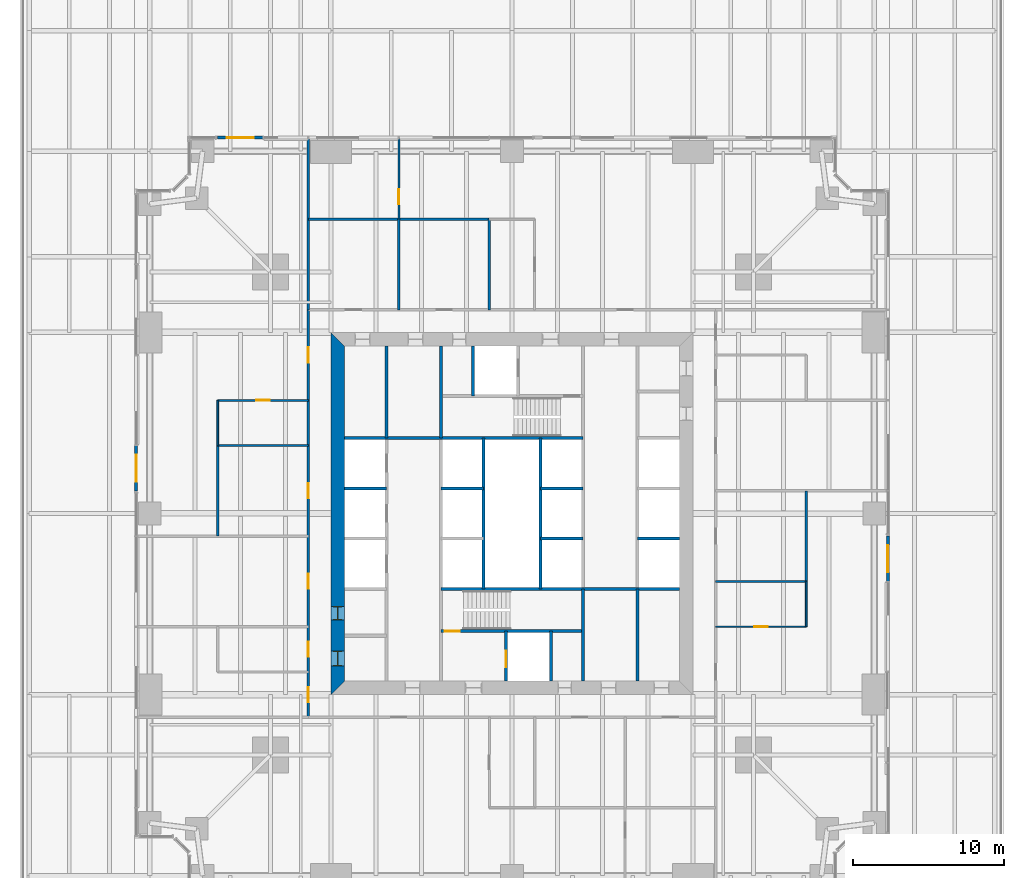
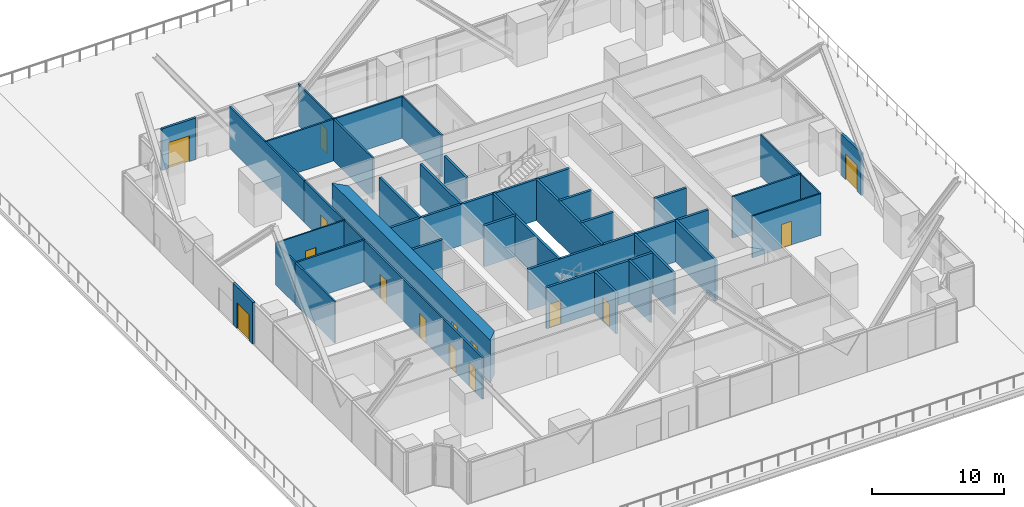
# One storey, part 16 of 21: 36 walls, 15 doors, 15 openings.
"""IFC4 building model written with IfcOpenShell, lengths in metres."""

from ifc_helpers import new_model, si_unit, direction, frame, frame_2d, origin, place, context, subcontext, project, spatial, polyline, rectangle, outline, extrude, material, layer, layer_set, type_object, element, fill, save


model = new_model("IFC4")

# Units and contexts
model_context = context("Model", 3, precision=1e-05, world=origin(), true_north=direction((0.0, 1.0)))
body_context = subcontext(model_context, "Body", "Model", "MODEL_VIEW")
ifc_project = project(units=[si_unit("LENGTHUNIT", "METRE"), si_unit("AREAUNIT", "SQUARE_METRE"), si_unit("VOLUMEUNIT", "CUBIC_METRE"), si_unit("PLANEANGLEUNIT", "RADIAN"), si_unit("MASSUNIT", "GRAM", prefix="KILO")], contexts=[model_context])

# Site, building, storey
site_placement = place(None, origin())
site = spatial("IfcSite", under=ifc_project, at=site_placement, CompositionType="ELEMENT")
building_placement = place(site_placement, origin())
building = spatial("IfcBuilding", under=site, at=building_placement, Name="Fenwick Lantern Interchange", CompositionType="ELEMENT")
storey_placement = place(building_placement, frame((0.0, 0.0, 31.0)))
storey = spatial("IfcBuildingStorey", under=building, at=storey_placement, Name="L06", CompositionType="ELEMENT", Elevation=31.0)

# Walls
ifc_material_1 = material(Name="Concrete masonry ASTM C90 Grade N", Category="masonry")
ifc_layer_1 = layer(ifc_material_1, 0.199951171875)
ifc_layer_set_1 = layer_set([ifc_layer_1], Name="Concrete masonry ASTM C90 Grade N")
wall_type_1 = type_object("IfcWallType", Name="CORE PARTITION 200", PredefinedType="PARTITIONING", material=ifc_layer_set_1)
for number, where, z_axis, x_axis, name in (
    (1, (13.89990234375, 26.666748046875, 0.0), (0.0, 0.0, 1.0), (1.0, 0.0, 0.0), "L06/W/CORES/d2"),
    (2, (20.300048828125, 26.666748046875, 0.0), (0.0, 0.0, 1.0), (1.0, 0.0, 0.0), "L06/W/CORES/e2"),
):
    element("IfcWall", number, at=place(storey_placement, frame(where, z_axis=z_axis, x_axis=x_axis)), inside=storey, type_object=wall_type_1, Name=name, PredefinedType="PARTITIONING", context=body_context, shape_type="SweptSolid", body=[
        extrude(rectangle(XDim=2.800048828125, YDim=0.199951171875, at=frame_2d((1.39990234375, 0.0))), origin(), (0.0, 0.0, 1.0), 3.800048828125),
    ])
wall_1_placement = place(storey_placement, frame((23.10009765625, 20.0, 0.0), z_axis=(0.0, 0.0, 1.0), x_axis=(0.0, 1.0, 0.0)))
element("IfcWall", 3, at=wall_1_placement, inside=storey, type_object=wall_type_1, Name="L06/W/CORES/e3", PredefinedType="PARTITIONING", context=body_context, shape_type="SweptSolid", body=[
    extrude(rectangle(XDim=10.0, YDim=0.199951171875, at=frame_2d((5.0, 0.0))), origin(), (0.0, 0.0, 1.0), 3.800048828125),
])

# Wall, opening, door
wall_2_placement = place(storey_placement, frame((24.60009765625, 13.89990234375, 0.0), z_axis=(0.0, 0.0, 1.0), x_axis=(0.0, 1.0, 0.0)))
wall_2 = element("IfcWall", 4, at=wall_2_placement, inside=storey, type_object=wall_type_1, Name="L06/W/CORES/h1", PredefinedType="PARTITIONING", context=body_context, shape_type="SweptSolid", body=[
    extrude(rectangle(XDim=3.300048828125, YDim=0.199951171875, at=frame_2d((1.64990234375, 0.0))), origin(), (0.0, 0.0, 1.0), 3.800048828125),
])
opening_1_placement = place(wall_2_placement, frame((0.89990234375, 0.0, 0.0)))
opening_1 = element("IfcOpeningElement", 5, at=opening_1_placement, cuts=wall_2, Name="Opening LD-FL1", PredefinedType="OPENING", context=body_context, shape_type="SweptSolid", body=[
    extrude(rectangle(XDim=1.10009765625, YDim=2.199951171875, at=frame_2d((0.550048828125, 1.10009765625))), frame((0.0, 0.10986328125, 0.0), z_axis=(0.0, -1.0, 0.0), x_axis=(1.0, 0.0, 0.0)), (0.0, 0.0, 1.0), 0.219970703125),
])
ifc_material_2 = material(Name="Steel door and frame", Category="steel")
door_type_1 = type_object("IfcDoorType", Name="LIFT LANDING DOOR 1100 X 2200", OperationType="DOUBLE_DOOR_SLIDING", PredefinedType="DOOR", material=ifc_material_2)
door_1_placement = place(opening_1_placement, origin())
door_1 = element("IfcDoor", 6, at=door_1_placement, inside=storey, type_object=door_type_1, Name="Lift landing door FL1", OperationType="DOUBLE_DOOR_SLIDING", OverallHeight=2.199951171875, OverallWidth=1.10009765625, PredefinedType="DOOR", context=body_context, shape_type="SweptSolid", body=[
    extrude(rectangle(XDim=1.10009765625, YDim=2.199951171875, at=frame_2d((0.550048828125, 1.10009765625))), frame((0.0, 0.02490234375, 0.0), z_axis=(0.0, -1.0, 0.0), x_axis=(1.0, 0.0, 0.0)), (0.0, 0.0, 1.0), 0.050048828125),
])
fill(opening_1, door_1)

# Walls
wall_3_placement = place(storey_placement, frame((27.60009765625, 13.89990234375, 0.0), z_axis=(0.0, 0.0, 1.0), x_axis=(0.0, 1.0, 0.0)))
element("IfcWall", 7, at=wall_3_placement, inside=storey, type_object=wall_type_1, Name="L06/W/CORES/h2", PredefinedType="PARTITIONING", context=body_context, shape_type="SweptSolid", body=[
    extrude(rectangle(XDim=3.300048828125, YDim=0.199951171875, at=frame_2d((1.64990234375, 0.0))), origin(), (0.0, 0.0, 1.0), 3.800048828125),
])
wall_4_placement = place(storey_placement, frame((33.300048828125, 13.89990234375, 0.0), z_axis=(0.0, 0.0, 1.0), x_axis=(0.0, 1.0, 0.0)))
element("IfcWall", 8, at=wall_4_placement, inside=storey, type_object=wall_type_1, Name="L06/W/CORES/i2", PredefinedType="PARTITIONING", context=body_context, shape_type="SweptSolid", body=[
    extrude(rectangle(XDim=6.10009765625, YDim=0.199951171875, at=frame_2d((3.050048828125, 0.0))), origin(), (0.0, 0.0, 1.0), 3.800048828125),
])
for number, where, z_axis, x_axis, name in (
    (9, (36.10009765625, 23.333251953125, 0.0), (0.0, 0.0, 1.0), (-1.0, 0.0, 0.0), "L06/W/COREN/d2"),
    (10, (29.699951171875, 26.666748046875, 0.0), (0.0, 0.0, 1.0), (-1.0, 0.0, 0.0), "L06/W/COREN/e1"),
    (11, (29.699951171875, 23.333251953125, 0.0), (0.0, 0.0, 1.0), (-1.0, 0.0, 0.0), "L06/W/COREN/e2"),
):
    element("IfcWall", number, at=place(storey_placement, frame(where, z_axis=z_axis, x_axis=x_axis)), inside=storey, type_object=wall_type_1, Name=name, PredefinedType="PARTITIONING", context=body_context, shape_type="SweptSolid", body=[
        extrude(rectangle(XDim=2.800048828125, YDim=0.199951171875, at=frame_2d((1.39990234375, 0.0))), origin(), (0.0, 0.0, 1.0), 3.800048828125),
    ])
wall_5_placement = place(storey_placement, frame((26.89990234375, 30.0, 0.0), z_axis=(0.0, 0.0, 1.0), x_axis=(0.0, -1.0, 0.0)))
element("IfcWall", 12, at=wall_5_placement, inside=storey, type_object=wall_type_1, Name="L06/W/COREN/e3", PredefinedType="PARTITIONING", context=body_context, shape_type="SweptSolid", body=[
    extrude(rectangle(XDim=10.0, YDim=0.199951171875, at=frame_2d((5.0, 0.0))), origin(), (0.0, 0.0, 1.0), 3.800048828125),
])
wall_6_placement = place(storey_placement, frame((22.39990234375, 36.10009765625, 0.0), z_axis=(0.0, 0.0, 1.0), x_axis=(0.0, -1.0, 0.0)))
element("IfcWall", 13, at=wall_6_placement, inside=storey, type_object=wall_type_1, Name="L06/W/COREN/h2", PredefinedType="PARTITIONING", context=body_context, shape_type="SweptSolid", body=[
    extrude(rectangle(XDim=3.300048828125, YDim=0.199951171875, at=frame_2d((1.64990234375, 0.0))), origin(), (0.0, 0.0, 1.0), 3.800048828125),
])
wall_7_placement = place(storey_placement, frame((16.699951171875, 36.10009765625, 0.0), z_axis=(0.0, 0.0, 1.0), x_axis=(0.0, -1.0, 0.0)))
element("IfcWall", 14, at=wall_7_placement, inside=storey, type_object=wall_type_1, Name="L06/W/COREN/i2", PredefinedType="PARTITIONING", context=body_context, shape_type="SweptSolid", body=[
    extrude(rectangle(XDim=6.10009765625, YDim=0.199951171875, at=frame_2d((3.050048828125, 0.0))), origin(), (0.0, 0.0, 1.0), 3.800048828125),
])

# Wall, openings, doors
ifc_material_3 = material(Name="Concrete f'c 70 MPa", Category="concrete")
ifc_layer_2 = layer(ifc_material_3, 0.89990234375)
ifc_layer_set_2 = layer_set([ifc_layer_2], Name="CORE WALL 900")
wall_type_2 = type_object("IfcWallType", Name="CORE WALL 900", PredefinedType="SHEAR", material=ifc_layer_set_2)
wall_8_placement = place(storey_placement, frame((13.449951171875, 36.10009765625, 0.0), z_axis=(0.0, 0.0, 1.0), x_axis=(0.0, -1.0, 0.0)))
wall_8 = element("IfcWall", 15, at=wall_8_placement, inside=storey, type_object=wall_type_2, Name="L06/CORE/W", PredefinedType="SHEAR", context=body_context, shape_type="SweptSolid", body=[
    extrude(outline(polyline([(-0.89990234375, -0.449951171875), (23.10009765625, -0.449951171875), (22.199951171875, 0.449951171875), (0.0, 0.449951171875), (-0.89990234375, -0.449951171875)])), origin(), (0.0, 0.0, 1.0), 4.0),
])
opening_2_placement = place(wall_8_placement, frame((20.199951171875, 0.0, 0.0)))
opening_2 = element("IfcOpeningElement", 16, at=opening_2_placement, cuts=wall_8, Name="Opening L06-D007", PredefinedType="OPENING", context=body_context, shape_type="SweptSolid", body=[
    extrude(rectangle(XDim=1.0, YDim=2.199951171875, at=frame_2d((0.5, 1.10009765625))), frame((0.0, 0.4599609375, 0.0), z_axis=(0.0, -1.0, 0.0), x_axis=(1.0, 0.0, 0.0)), (0.0, 0.0, 1.0), 0.919921875),
])
opening_3_placement = place(wall_8_placement, frame((17.25, 0.0, 0.0)))
opening_3 = element("IfcOpeningElement", 17, at=opening_3_placement, cuts=wall_8, Name="Opening L06-D008", PredefinedType="OPENING", context=body_context, shape_type="SweptSolid", body=[
    extrude(rectangle(XDim=0.89990234375, YDim=2.199951171875, at=frame_2d((0.449951171875, 1.10009765625))), frame((0.0, 0.4599609375, 0.0), z_axis=(0.0, -1.0, 0.0), x_axis=(1.0, 0.0, 0.0)), (0.0, 0.0, 1.0), 0.919921875),
])
door_type_2 = type_object("IfcDoorType", Name="SERVICE DOOR 900 X 2200", OperationType="SINGLE_SWING_LEFT", PredefinedType="DOOR", material=ifc_material_2)
door_2_placement = place(opening_3_placement, origin())
door_2 = element("IfcDoor", 18, at=door_2_placement, inside=storey, type_object=door_type_2, Name="Service door", OperationType="SINGLE_SWING_RIGHT", OverallHeight=2.199951171875, OverallWidth=0.89990234375, PredefinedType="DOOR", context=body_context, shape_type="SweptSolid", body=[
    extrude(rectangle(XDim=0.89990234375, YDim=2.199951171875, at=frame_2d((0.449951171875, 1.10009765625))), frame((0.0, 0.02490234375, 0.0), z_axis=(0.0, -1.0, 0.0), x_axis=(1.0, 0.0, 0.0)), (0.0, 0.0, 1.0), 0.050048828125),
    extrude(outline(polyline([(0.0, 0.0), (0.0400390625, 0.0), (0.0400390625, 2.159912109375), (0.85986328125, 2.159912109375), (0.85986328125, 0.0), (0.89990234375, 0.0), (0.89990234375, 2.199951171875), (0.0, 2.199951171875), (0.0, 0.0)])), frame((0.0, 0.300048828125, 0.0), z_axis=(0.0, -1.0, 0.0), x_axis=(1.0, 0.0, 0.0)), (0.0, 0.0, 1.0), 0.60009765625),
])
fill(opening_3, door_2)
ifc_material_4 = material(Name="Hardwood door and steel frame", Category="steel")
door_type_3 = type_object("IfcDoorType", Name="WC DOOR 1000 X 2200", OperationType="SINGLE_SWING_LEFT", PredefinedType="DOOR", material=ifc_material_4)
door_3_placement = place(opening_2_placement, origin())
door_3 = element("IfcDoor", 19, at=door_3_placement, inside=storey, type_object=door_type_3, Name="Wc door", OperationType="SINGLE_SWING_LEFT", OverallHeight=2.199951171875, OverallWidth=1.0, PredefinedType="DOOR", context=body_context, shape_type="SweptSolid", body=[
    extrude(rectangle(XDim=1.0, YDim=2.199951171875, at=frame_2d((0.5, 1.10009765625))), frame((0.0, 0.02490234375, 0.0), z_axis=(0.0, -1.0, 0.0), x_axis=(1.0, 0.0, 0.0)), (0.0, 0.0, 1.0), 0.050048828125),
    extrude(outline(polyline([(0.0, 0.0), (0.0400390625, 0.0), (0.0400390625, 2.159912109375), (0.9599609375, 2.159912109375), (0.9599609375, 0.0), (1.0, 0.0), (1.0, 2.199951171875), (0.0, 2.199951171875), (0.0, 0.0)])), frame((0.0, 0.300048828125, 0.0), z_axis=(0.0, -1.0, 0.0), x_axis=(1.0, 0.0, 0.0)), (0.0, 0.0, 1.0), 0.60009765625),
])
fill(opening_2, door_3)

ifc_material_5 = material(Name="Gypsum board on steel studs, 1 hour", Category="steel")
ifc_layer_3 = layer(ifc_material_5, 0.14990234375)
ifc_layer_set_3 = layer_set([ifc_layer_3], Name="CORRIDOR WALL 150")
wall_type_3 = type_object("IfcWallType", Name="CORRIDOR WALL 150", PredefinedType="PARTITIONING", material=ifc_layer_set_3)
wall_9_placement = place(storey_placement, frame((11.5, 38.5, 0.0), z_axis=(0.0, 0.0, 1.0), x_axis=(0.0, -1.0, 0.0)))
wall_9 = element("IfcWall", 20, at=wall_9_placement, inside=storey, type_object=wall_type_3, Name="L06/W/OFF/W/CW", PredefinedType="PARTITIONING", context=body_context, shape_type="SweptSolid", body=[
    extrude(rectangle(XDim=27.0, YDim=0.14990234375, at=frame_2d((13.5, 0.0))), origin(), (0.0, 0.0, 1.0), 3.85009765625),
])
opening_4_placement = place(wall_9_placement, frame((2.5, 0.0, 0.0)))
opening_4 = element("IfcOpeningElement", 21, at=opening_4_placement, cuts=wall_9, Name="Opening L06-D038", PredefinedType="OPENING", context=body_context, shape_type="SweptSolid", body=[
    extrude(rectangle(XDim=1.0, YDim=2.199951171875, at=frame_2d((0.5, 1.10009765625))), frame((0.0, 0.0849609375, 0.0), z_axis=(0.0, -1.0, 0.0), x_axis=(1.0, 0.0, 0.0)), (0.0, 0.0, 1.0), 0.169921875),
])
opening_5_placement = place(wall_9_placement, frame((11.5, 0.0, 0.0)))
opening_5 = element("IfcOpeningElement", 22, at=opening_5_placement, cuts=wall_9, Name="Opening L06-D040", PredefinedType="OPENING", context=body_context, shape_type="SweptSolid", body=[
    extrude(rectangle(XDim=1.0, YDim=2.199951171875, at=frame_2d((0.5, 1.10009765625))), frame((0.0, 0.0849609375, 0.0), z_axis=(0.0, -1.0, 0.0), x_axis=(1.0, 0.0, 0.0)), (0.0, 0.0, 1.0), 0.169921875),
])
opening_6_placement = place(wall_9_placement, frame((17.5, 0.0, 0.0)))
opening_6 = element("IfcOpeningElement", 23, at=opening_6_placement, cuts=wall_9, Name="Opening L06-D041", PredefinedType="OPENING", context=body_context, shape_type="SweptSolid", body=[
    extrude(rectangle(XDim=1.0, YDim=2.199951171875, at=frame_2d((0.5, 1.10009765625))), frame((0.0, 0.0849609375, 0.0), z_axis=(0.0, -1.0, 0.0), x_axis=(1.0, 0.0, 0.0)), (0.0, 0.0, 1.0), 0.169921875),
])
opening_7_placement = place(wall_9_placement, frame((22.0, 0.0, 0.0)))
opening_7 = element("IfcOpeningElement", 24, at=opening_7_placement, cuts=wall_9, Name="Opening L06-D042", PredefinedType="OPENING", context=body_context, shape_type="SweptSolid", body=[
    extrude(rectangle(XDim=1.0, YDim=2.199951171875, at=frame_2d((0.5, 1.10009765625))), frame((0.0, 0.0849609375, 0.0), z_axis=(0.0, -1.0, 0.0), x_axis=(1.0, 0.0, 0.0)), (0.0, 0.0, 1.0), 0.169921875),
])
opening_8_placement = place(wall_9_placement, frame((25.0, 0.0, 0.0)))
opening_8 = element("IfcOpeningElement", 25, at=opening_8_placement, cuts=wall_9, Name="Opening L06-D043", PredefinedType="OPENING", context=body_context, shape_type="SweptSolid", body=[
    extrude(rectangle(XDim=1.0, YDim=2.199951171875, at=frame_2d((0.5, 1.10009765625))), frame((0.0, 0.0849609375, 0.0), z_axis=(0.0, -1.0, 0.0), x_axis=(1.0, 0.0, 0.0)), (0.0, 0.0, 1.0), 0.169921875),
])
door_type_4 = type_object("IfcDoorType", Name="SUITE ENTRANCE DOOR 1000 X 2200", OperationType="SINGLE_SWING_LEFT", PredefinedType="DOOR", material=ifc_material_2)
door_4_placement = place(opening_4_placement, frame((1.0, 0.0, 0.0), z_axis=(0.0, 0.0, 1.0), x_axis=(-1.0, 0.0, 0.0)))
door_4 = element("IfcDoor", 26, at=door_4_placement, inside=storey, type_object=door_type_4, Name="Suite entrance door", OperationType="SINGLE_SWING_LEFT", OverallHeight=2.199951171875, OverallWidth=1.0, PredefinedType="DOOR", context=body_context, shape_type="SweptSolid", body=[
    extrude(rectangle(XDim=1.0, YDim=2.199951171875, at=frame_2d((0.5, 1.10009765625))), frame((0.0, 0.02490234375, 0.0), z_axis=(0.0, -1.0, 0.0), x_axis=(1.0, 0.0, 0.0)), (0.0, 0.0, 1.0), 0.050048828125),
])
fill(opening_4, door_4)
door_5_placement = place(opening_5_placement, frame((1.0, 0.0, 0.0), z_axis=(0.0, 0.0, 1.0), x_axis=(-1.0, 0.0, 0.0)))
door_5 = element("IfcDoor", 27, at=door_5_placement, inside=storey, type_object=door_type_4, Name="Suite entrance door", OperationType="SINGLE_SWING_RIGHT", OverallHeight=2.199951171875, OverallWidth=1.0, PredefinedType="DOOR", context=body_context, shape_type="SweptSolid", body=[
    extrude(rectangle(XDim=1.0, YDim=2.199951171875, at=frame_2d((0.5, 1.10009765625))), frame((0.0, 0.02490234375, 0.0), z_axis=(0.0, -1.0, 0.0), x_axis=(1.0, 0.0, 0.0)), (0.0, 0.0, 1.0), 0.050048828125),
])
fill(opening_5, door_5)
door_6_placement = place(opening_6_placement, frame((1.0, 0.0, 0.0), z_axis=(0.0, 0.0, 1.0), x_axis=(-1.0, 0.0, 0.0)))
door_6 = element("IfcDoor", 28, at=door_6_placement, inside=storey, type_object=door_type_4, Name="Suite entrance door", OperationType="SINGLE_SWING_RIGHT", OverallHeight=2.199951171875, OverallWidth=1.0, PredefinedType="DOOR", context=body_context, shape_type="SweptSolid", body=[
    extrude(rectangle(XDim=1.0, YDim=2.199951171875, at=frame_2d((0.5, 1.10009765625))), frame((0.0, 0.02490234375, 0.0), z_axis=(0.0, -1.0, 0.0), x_axis=(1.0, 0.0, 0.0)), (0.0, 0.0, 1.0), 0.050048828125),
])
fill(opening_6, door_6)
door_7_placement = place(opening_7_placement, frame((1.0, 0.0, 0.0), z_axis=(0.0, 0.0, 1.0), x_axis=(-1.0, 0.0, 0.0)))
door_7 = element("IfcDoor", 29, at=door_7_placement, inside=storey, type_object=door_type_4, Name="Suite entrance door", OperationType="SINGLE_SWING_RIGHT", OverallHeight=2.199951171875, OverallWidth=1.0, PredefinedType="DOOR", context=body_context, shape_type="SweptSolid", body=[
    extrude(rectangle(XDim=1.0, YDim=2.199951171875, at=frame_2d((0.5, 1.10009765625))), frame((0.0, 0.02490234375, 0.0), z_axis=(0.0, -1.0, 0.0), x_axis=(1.0, 0.0, 0.0)), (0.0, 0.0, 1.0), 0.050048828125),
])
fill(opening_7, door_7)
door_8_placement = place(opening_8_placement, frame((1.0, 0.0, 0.0), z_axis=(0.0, 0.0, 1.0), x_axis=(-1.0, 0.0, 0.0)))
door_8 = element("IfcDoor", 30, at=door_8_placement, inside=storey, type_object=door_type_4, Name="Suite entrance door", OperationType="SINGLE_SWING_RIGHT", OverallHeight=2.199951171875, OverallWidth=1.0, PredefinedType="DOOR", context=body_context, shape_type="SweptSolid", body=[
    extrude(rectangle(XDim=1.0, YDim=2.199951171875, at=frame_2d((0.5, 1.10009765625))), frame((0.0, 0.02490234375, 0.0), z_axis=(0.0, -1.0, 0.0), x_axis=(1.0, 0.0, 0.0)), (0.0, 0.0, 1.0), 0.050048828125),
])
fill(opening_8, door_8)

# Wall, opening, door
ifc_material_6 = material(Name="Gypsum board on steel studs, acoustic", Category="steel")
ifc_layer_4 = layer(ifc_material_6, 0.125)
ifc_layer_set_4 = layer_set([ifc_layer_4], Name="OFFICE PARTITION 125")
wall_type_4 = type_object("IfcWallType", Name="OFFICE PARTITION 125", PredefinedType="PARTITIONING", material=ifc_layer_set_4)
wall_10_placement = place(storey_placement, frame((44.5, 17.5, 0.0), z_axis=(0.0, 0.0, 1.0), x_axis=(-1.0, 0.0, 0.0)))
wall_10 = element("IfcWall", 31, at=wall_10_placement, inside=storey, type_object=wall_type_4, Name="L06/W/OFF/E/X175-1", PredefinedType="PARTITIONING", context=body_context, shape_type="SweptSolid", body=[
    extrude(rectangle(XDim=6.0, YDim=0.125, at=frame_2d((3.0, 0.0))), origin(), (0.0, 0.0, 1.0), 3.85009765625),
])
opening_9_placement = place(wall_10_placement, frame((2.550048828125, 0.0, 0.0)))
opening_9 = element("IfcOpeningElement", 32, at=opening_9_placement, cuts=wall_10, Name="Opening L06-D028", PredefinedType="OPENING", context=body_context, shape_type="SweptSolid", body=[
    extrude(rectangle(XDim=0.89990234375, YDim=2.199951171875, at=frame_2d((0.449951171875, 1.10009765625))), frame((0.0, 0.072509765625, 0.0), z_axis=(0.0, -1.0, 0.0), x_axis=(1.0, 0.0, 0.0)), (0.0, 0.0, 1.0), 0.14501953125),
])
door_type_5 = type_object("IfcDoorType", Name="OFFICE DOOR 900 X 2200", OperationType="SINGLE_SWING_LEFT", PredefinedType="DOOR", material=ifc_material_4)
door_9_placement = place(opening_9_placement, frame((0.89990234375, 0.0, 0.0), z_axis=(0.0, 0.0, 1.0), x_axis=(-1.0, 0.0, 0.0)))
door_9 = element("IfcDoor", 33, at=door_9_placement, inside=storey, type_object=door_type_5, Name="Office door", OperationType="SINGLE_SWING_RIGHT", OverallHeight=2.199951171875, OverallWidth=0.89990234375, PredefinedType="DOOR", context=body_context, shape_type="SweptSolid", body=[
    extrude(rectangle(XDim=0.89990234375, YDim=2.199951171875, at=frame_2d((0.449951171875, 1.10009765625))), frame((0.0, 0.02490234375, 0.0), z_axis=(0.0, -1.0, 0.0), x_axis=(1.0, 0.0, 0.0)), (0.0, 0.0, 1.0), 0.050048828125),
])
fill(opening_9, door_9)

# Wall
wall_11_placement = place(storey_placement, frame((44.5, 17.5, 0.0), z_axis=(0.0, 0.0, 1.0), x_axis=(0.0, 1.0, 0.0)))
element("IfcWall", 34, at=wall_11_placement, inside=storey, type_object=wall_type_4, Name="L06/W/OFF/E/Y55-1", PredefinedType="PARTITIONING", context=body_context, shape_type="SweptSolid", body=[
    extrude(rectangle(XDim=3.0, YDim=0.125, at=frame_2d((1.5, 0.0))), origin(), (0.0, 0.0, 1.0), 3.85009765625),
])

# Wall, opening, door
wall_12_placement = place(storey_placement, frame((17.5, 49.85009765625, 0.0), z_axis=(0.0, 0.0, 1.0), x_axis=(0.0, -1.0, 0.0)))
wall_12 = element("IfcWall", 35, at=wall_12_placement, inside=storey, type_object=wall_type_4, Name="L06/W/OFF/N/X325-1", PredefinedType="PARTITIONING", context=body_context, shape_type="SweptSolid", body=[
    extrude(rectangle(XDim=5.35009765625, YDim=0.125, at=frame_2d((2.675048828125, 0.0))), origin(), (0.0, 0.0, 1.0), 3.85009765625),
])
opening_10_placement = place(wall_12_placement, frame((3.35009765625, 0.0, 0.0)))
opening_10 = element("IfcOpeningElement", 36, at=opening_10_placement, cuts=wall_12, Name="Opening L06-D035", PredefinedType="OPENING", context=body_context, shape_type="SweptSolid", body=[
    extrude(rectangle(XDim=1.0, YDim=2.199951171875, at=frame_2d((0.5, 1.10009765625))), frame((0.0, 0.072509765625, 0.0), z_axis=(0.0, -1.0, 0.0), x_axis=(1.0, 0.0, 0.0)), (0.0, 0.0, 1.0), 0.14501953125),
])
door_type_6 = type_object("IfcDoorType", Name="MEETING ROOM DOOR 1000 X 2200", OperationType="SINGLE_SWING_LEFT", PredefinedType="DOOR", material=ifc_material_4)
door_10_placement = place(opening_10_placement, frame((1.0, 0.0, 0.0), z_axis=(0.0, 0.0, 1.0), x_axis=(-1.0, 0.0, 0.0)))
door_10 = element("IfcDoor", 37, at=door_10_placement, inside=storey, type_object=door_type_6, Name="Meeting room door", OperationType="SINGLE_SWING_LEFT", OverallHeight=2.199951171875, OverallWidth=1.0, PredefinedType="DOOR", context=body_context, shape_type="SweptSolid", body=[
    extrude(rectangle(XDim=1.0, YDim=2.199951171875, at=frame_2d((0.5, 1.10009765625))), frame((0.0, 0.02490234375, 0.0), z_axis=(0.0, -1.0, 0.0), x_axis=(1.0, 0.0, 0.0)), (0.0, 0.0, 1.0), 0.050048828125),
])
fill(opening_10, door_10)

wall_13_placement = place(storey_placement, frame((5.5, 32.5, 0.0), z_axis=(0.0, 0.0, 1.0), x_axis=(1.0, 0.0, 0.0)))
wall_13 = element("IfcWall", 38, at=wall_13_placement, inside=storey, type_object=wall_type_4, Name="L06/W/OFF/W/X175-1", PredefinedType="PARTITIONING", context=body_context, shape_type="SweptSolid", body=[
    extrude(rectangle(XDim=6.0, YDim=0.125, at=frame_2d((3.0, 0.0))), origin(), (0.0, 0.0, 1.0), 3.85009765625),
])
opening_11_placement = place(wall_13_placement, frame((2.550048828125, 0.0, 0.0)))
opening_11 = element("IfcOpeningElement", 39, at=opening_11_placement, cuts=wall_13, Name="Opening L06-D039", PredefinedType="OPENING", context=body_context, shape_type="SweptSolid", body=[
    extrude(rectangle(XDim=0.89990234375, YDim=2.199951171875, at=frame_2d((0.449951171875, 1.10009765625))), frame((0.0, 0.072509765625, 0.0), z_axis=(0.0, -1.0, 0.0), x_axis=(1.0, 0.0, 0.0)), (0.0, 0.0, 1.0), 0.14501953125),
])
door_11_placement = place(opening_11_placement, frame((0.89990234375, 0.0, 0.0), z_axis=(0.0, 0.0, 1.0), x_axis=(-1.0, 0.0, 0.0)))
door_11 = element("IfcDoor", 40, at=door_11_placement, inside=storey, type_object=door_type_5, Name="Office door", OperationType="SINGLE_SWING_RIGHT", OverallHeight=2.199951171875, OverallWidth=0.89990234375, PredefinedType="DOOR", context=body_context, shape_type="SweptSolid", body=[
    extrude(rectangle(XDim=0.89990234375, YDim=2.199951171875, at=frame_2d((0.449951171875, 1.10009765625))), frame((0.0, 0.02490234375, 0.0), z_axis=(0.0, -1.0, 0.0), x_axis=(1.0, 0.0, 0.0)), (0.0, 0.0, 1.0), 0.050048828125),
])
fill(opening_11, door_11)

# Wall
wall_14_placement = place(storey_placement, frame((5.5, 32.5, 0.0), z_axis=(0.0, 0.0, 1.0), x_axis=(0.0, -1.0, 0.0)))
element("IfcWall", 41, at=wall_14_placement, inside=storey, type_object=wall_type_4, Name="L06/W/OFF/W/Y55-1", PredefinedType="PARTITIONING", context=body_context, shape_type="SweptSolid", body=[
    extrude(rectangle(XDim=3.0, YDim=0.125, at=frame_2d((1.5, 0.0))), origin(), (0.0, 0.0, 1.0), 3.85009765625),
])

# Wall, opening, door
ifc_material_7 = material(Name="Concrete f'c 45 MPa", Category="concrete")
ifc_layer_5 = layer(ifc_material_7, 0.199951171875)
ifc_layer_set_5 = layer_set([ifc_layer_5], Name="STAIR CORE WALL 200")
wall_type_5 = type_object("IfcWallType", Name="STAIR CORE WALL 200", PredefinedType="SOLIDWALL", material=ifc_layer_set_5)
wall_15_placement = place(storey_placement, frame((20.300048828125, 17.199951171875, 0.0), z_axis=(0.0, 0.0, 1.0), x_axis=(1.0, 0.0, 0.0)))
wall_15 = element("IfcWall", 42, at=wall_15_placement, inside=storey, type_object=wall_type_5, Name="L06/W/CORES/g1", PredefinedType="SOLIDWALL", context=body_context, shape_type="SweptSolid", body=[
    extrude(rectangle(XDim=9.39990234375, YDim=0.199951171875, at=frame_2d((4.699951171875, 0.0))), origin(), (0.0, 0.0, 1.0), 3.800048828125),
])
opening_12_placement = place(wall_15_placement, frame((0.25, 0.0, 0.0)))
opening_12 = element("IfcOpeningElement", 43, at=opening_12_placement, cuts=wall_15, Name="Opening L06-D010", PredefinedType="OPENING", context=body_context, shape_type="SweptSolid", body=[
    extrude(rectangle(XDim=1.0, YDim=2.199951171875, at=frame_2d((0.5, 1.10009765625))), frame((0.0, 0.10986328125, 0.0), z_axis=(0.0, -1.0, 0.0), x_axis=(1.0, 0.0, 0.0)), (0.0, 0.0, 1.0), 0.219970703125),
])
door_type_7 = type_object("IfcDoorType", Name="STAIR DOOR 1000 X 2200", OperationType="SINGLE_SWING_LEFT", PredefinedType="DOOR", material=ifc_material_2)
door_12_placement = place(opening_12_placement, origin())
door_12 = element("IfcDoor", 44, at=door_12_placement, inside=storey, type_object=door_type_7, Name="Stair door", OperationType="SINGLE_SWING_LEFT", OverallHeight=2.199951171875, OverallWidth=1.0, PredefinedType="DOOR", context=body_context, shape_type="SweptSolid", body=[
    extrude(rectangle(XDim=1.0, YDim=2.199951171875, at=frame_2d((0.5, 1.10009765625))), frame((0.0, 0.02490234375, 0.0), z_axis=(0.0, -1.0, 0.0), x_axis=(1.0, 0.0, 0.0)), (0.0, 0.0, 1.0), 0.050048828125),
])
fill(opening_12, door_12)

# Walls
wall_16_placement = place(storey_placement, frame((20.300048828125, 20.0, 0.0), z_axis=(0.0, 0.0, 1.0), x_axis=(1.0, 0.0, 0.0)))
element("IfcWall", 45, at=wall_16_placement, inside=storey, type_object=wall_type_5, Name="L06/W/CORES/g2", PredefinedType="SOLIDWALL", context=body_context, shape_type="SweptSolid", body=[
    extrude(rectangle(XDim=15.800048828125, YDim=0.199951171875, at=frame_2d((7.89990234375, 0.0))), origin(), (0.0, 0.0, 1.0), 3.800048828125),
])
wall_17_placement = place(storey_placement, frame((29.699951171875, 13.89990234375, 0.0), z_axis=(0.0, 0.0, 1.0), x_axis=(0.0, 1.0, 0.0)))
element("IfcWall", 46, at=wall_17_placement, inside=storey, type_object=wall_type_5, Name="L06/W/CORES/i1", PredefinedType="SOLIDWALL", context=body_context, shape_type="SweptSolid", body=[
    extrude(rectangle(XDim=6.10009765625, YDim=0.199951171875, at=frame_2d((3.050048828125, 0.0))), origin(), (0.0, 0.0, 1.0), 3.800048828125),
])
wall_18_placement = place(storey_placement, frame((29.699951171875, 30.0, 0.0), z_axis=(0.0, 0.0, 1.0), x_axis=(-1.0, 0.0, 0.0)))
element("IfcWall", 47, at=wall_18_placement, inside=storey, type_object=wall_type_5, Name="L06/W/COREN/g2", PredefinedType="SOLIDWALL", context=body_context, shape_type="SweptSolid", body=[
    extrude(rectangle(XDim=15.800048828125, YDim=0.199951171875, at=frame_2d((7.89990234375, 0.0))), origin(), (0.0, 0.0, 1.0), 3.800048828125),
])
wall_19_placement = place(storey_placement, frame((20.300048828125, 36.10009765625, 0.0), z_axis=(0.0, 0.0, 1.0), x_axis=(0.0, -1.0, 0.0)))
element("IfcWall", 48, at=wall_19_placement, inside=storey, type_object=wall_type_5, Name="L06/W/COREN/i1", PredefinedType="SOLIDWALL", context=body_context, shape_type="SweptSolid", body=[
    extrude(rectangle(XDim=6.10009765625, YDim=0.199951171875, at=frame_2d((3.050048828125, 0.0))), origin(), (0.0, 0.0, 1.0), 3.800048828125),
])
ifc_material_8 = material(Name="Gypsum board on steel studs, 1 hour acoustic", Category="steel")
ifc_layer_6 = layer(ifc_material_8, 0.14990234375)
ifc_layer_set_6 = layer_set([ifc_layer_6], Name="TENANT WALL 150")
wall_type_6 = type_object("IfcWallType", Name="TENANT WALL 150", PredefinedType="PARTITIONING", material=ifc_layer_set_6)
for number, where, z_axis, x_axis, name in (
    (49, (44.5, 20.5, 0.0), (0.0, 0.0, 1.0), (-1.0, 0.0, 0.0), "L06/W/OFF/E/X205-1"),
    (50, (44.5, 20.5, 0.0), (0.0, 0.0, 1.0), (0.0, 1.0, 0.0), "L06/W/OFF/E/Y55-2"),
    (51, (23.5, 44.5, 0.0), (0.0, 0.0, 1.0), (0.0, -1.0, 0.0), "L06/W/OFF/N/X265-1"),
    (52, (17.5, 44.5, 0.0), (0.0, 0.0, 1.0), (0.0, -1.0, 0.0), "L06/W/OFF/N/X325-2"),
    (53, (23.5, 44.5, 0.0), (0.0, 0.0, 1.0), (-1.0, 0.0, 0.0), "L06/W/OFF/N/Y55-2"),
    (54, (17.5, 44.5, 0.0), (0.0, 0.0, 1.0), (-1.0, 0.0, 0.0), "L06/W/OFF/N/Y55-3"),
):
    element("IfcWall", number, at=place(storey_placement, frame(where, z_axis=z_axis, x_axis=x_axis)), inside=storey, type_object=wall_type_6, Name=name, PredefinedType="PARTITIONING", context=body_context, shape_type="SweptSolid", body=[
        extrude(rectangle(XDim=6.0, YDim=0.14990234375, at=frame_2d((3.0, 0.0))), origin(), (0.0, 0.0, 1.0), 3.85009765625),
    ])
wall_20_placement = place(storey_placement, frame((11.5, 49.85009765625, 0.0), z_axis=(0.0, 0.0, 1.0), x_axis=(0.0, -1.0, 0.0)))
element("IfcWall", 55, at=wall_20_placement, inside=storey, type_object=wall_type_6, Name="L06/W/OFF/W/BACK", PredefinedType="PARTITIONING", context=body_context, shape_type="SweptSolid", body=[
    extrude(rectangle(XDim=11.35009765625, YDim=0.14990234375, at=frame_2d((5.675048828125, 0.0))), origin(), (0.0, 0.0, 1.0), 3.85009765625),
])
for number, where, z_axis, x_axis, name in (
    (56, (5.5, 29.5, 0.0), (0.0, 0.0, 1.0), (1.0, 0.0, 0.0), "L06/W/OFF/W/X205-1"),
    (57, (5.5, 29.5, 0.0), (0.0, 0.0, 1.0), (0.0, -1.0, 0.0), "L06/W/OFF/W/Y55-2"),
):
    element("IfcWall", number, at=place(storey_placement, frame(where, z_axis=z_axis, x_axis=x_axis)), inside=storey, type_object=wall_type_6, Name=name, PredefinedType="PARTITIONING", context=body_context, shape_type="SweptSolid", body=[
        extrude(rectangle(XDim=6.0, YDim=0.14990234375, at=frame_2d((3.0, 0.0))), origin(), (0.0, 0.0, 1.0), 3.85009765625),
    ])

# Wall, opening, door
ifc_material_9 = material(Name="Aluminium framed glazed screen", Category="aluminium")
ifc_layer_7 = layer(ifc_material_9, 0.199951171875)
ifc_layer_set_7 = layer_set([ifc_layer_7], Name="TERRACE DOOR SCREEN 200")
wall_type_7 = type_object("IfcWallType", Name="TERRACE DOOR SCREEN 200", PredefinedType="SOLIDWALL", material=ifc_layer_set_7)
wall_21_placement = place(storey_placement, frame((49.89990234375, 20.5, 0.0), z_axis=(0.0, 0.0, 1.0), x_axis=(0.0, 1.0, 0.0)))
wall_21 = element("IfcWall", 58, at=wall_21_placement, inside=storey, type_object=wall_type_7, Name="L06/CW/05W", PredefinedType="SOLIDWALL", context=body_context, shape_type="SweptSolid", body=[
    extrude(rectangle(XDim=3.0, YDim=0.199951171875, at=frame_2d((1.5, 0.0))), origin(), (0.0, 0.0, 1.0), 3.85009765625),
])
opening_13_placement = place(wall_21_placement, frame((0.60009765625, 0.0, 0.0)))
opening_13 = element("IfcOpeningElement", 59, at=opening_13_placement, cuts=wall_21, Name="Opening L06-D002", PredefinedType="OPENING", context=body_context, shape_type="SweptSolid", body=[
    extrude(rectangle(XDim=1.800048828125, YDim=2.39990234375, at=frame_2d((0.89990234375, 1.199951171875))), frame((0.0, 0.10986328125, 0.0), z_axis=(0.0, -1.0, 0.0), x_axis=(1.0, 0.0, 0.0)), (0.0, 0.0, 1.0), 0.219970703125),
])
ifc_material_10 = material(Name="Aluminium glazed door", Category="aluminium")
door_type_8 = type_object("IfcDoorType", Name="TERRACE DOOR PAIR 1800 X 2400", OperationType="DOUBLE_DOOR_SINGLE_SWING", PredefinedType="DOOR", material=ifc_material_10)
door_13_placement = place(opening_13_placement, origin())
door_13 = element("IfcDoor", 60, at=door_13_placement, inside=storey, type_object=door_type_8, Name="Terrace door pair", OperationType="DOUBLE_DOOR_SINGLE_SWING", OverallHeight=2.39990234375, OverallWidth=1.800048828125, PredefinedType="DOOR", context=body_context, shape_type="SweptSolid", body=[
    extrude(rectangle(XDim=1.800048828125, YDim=2.39990234375, at=frame_2d((0.89990234375, 1.199951171875))), frame((0.0, 0.02490234375, 0.0), z_axis=(0.0, -1.0, 0.0), x_axis=(1.0, 0.0, 0.0)), (0.0, 0.0, 1.0), 0.050048828125),
])
fill(opening_13, door_13)

wall_22_placement = place(storey_placement, frame((8.5, 49.89990234375, 0.0), z_axis=(0.0, 0.0, 1.0), x_axis=(-1.0, 0.0, 0.0)))
wall_22 = element("IfcWall", 61, at=wall_22_placement, inside=storey, type_object=wall_type_7, Name="L06/CW/09W2", PredefinedType="SOLIDWALL", context=body_context, shape_type="SweptSolid", body=[
    extrude(rectangle(XDim=3.0, YDim=0.199951171875, at=frame_2d((1.5, 0.0))), origin(), (0.0, 0.0, 1.0), 3.85009765625),
])
opening_14_placement = place(wall_22_placement, frame((0.60009765625, 0.0, 0.0)))
opening_14 = element("IfcOpeningElement", 62, at=opening_14_placement, cuts=wall_22, Name="Opening L06-D004", PredefinedType="OPENING", context=body_context, shape_type="SweptSolid", body=[
    extrude(rectangle(XDim=1.800048828125, YDim=2.39990234375, at=frame_2d((0.89990234375, 1.199951171875))), frame((0.0, 0.10986328125, 0.0), z_axis=(0.0, -1.0, 0.0), x_axis=(1.0, 0.0, 0.0)), (0.0, 0.0, 1.0), 0.219970703125),
])
door_14_placement = place(opening_14_placement, origin())
door_14 = element("IfcDoor", 63, at=door_14_placement, inside=storey, type_object=door_type_8, Name="Terrace door pair", OperationType="DOUBLE_DOOR_SINGLE_SWING", OverallHeight=2.39990234375, OverallWidth=1.800048828125, PredefinedType="DOOR", context=body_context, shape_type="SweptSolid", body=[
    extrude(rectangle(XDim=1.800048828125, YDim=2.39990234375, at=frame_2d((0.89990234375, 1.199951171875))), frame((0.0, 0.02490234375, 0.0), z_axis=(0.0, -1.0, 0.0), x_axis=(1.0, 0.0, 0.0)), (0.0, 0.0, 1.0), 0.050048828125),
])
fill(opening_14, door_14)

wall_23_placement = place(storey_placement, frame((0.10009765625, 29.5, 0.0), z_axis=(0.0, 0.0, 1.0), x_axis=(0.0, -1.0, 0.0)))
wall_23 = element("IfcWall", 64, at=wall_23_placement, inside=storey, type_object=wall_type_7, Name="L06/CW/13W", PredefinedType="SOLIDWALL", context=body_context, shape_type="SweptSolid", body=[
    extrude(rectangle(XDim=3.0, YDim=0.199951171875, at=frame_2d((1.5, 0.0))), origin(), (0.0, 0.0, 1.0), 3.85009765625),
])
opening_15_placement = place(wall_23_placement, frame((0.60009765625, 0.0, 0.0)))
opening_15 = element("IfcOpeningElement", 65, at=opening_15_placement, cuts=wall_23, Name="Opening L06-D005", PredefinedType="OPENING", context=body_context, shape_type="SweptSolid", body=[
    extrude(rectangle(XDim=1.800048828125, YDim=2.39990234375, at=frame_2d((0.89990234375, 1.199951171875))), frame((0.0, 0.10986328125, 0.0), z_axis=(0.0, -1.0, 0.0), x_axis=(1.0, 0.0, 0.0)), (0.0, 0.0, 1.0), 0.219970703125),
])
door_15_placement = place(opening_15_placement, origin())
door_15 = element("IfcDoor", 66, at=door_15_placement, inside=storey, type_object=door_type_8, Name="Terrace door pair", OperationType="DOUBLE_DOOR_SINGLE_SWING", OverallHeight=2.39990234375, OverallWidth=1.800048828125, PredefinedType="DOOR", context=body_context, shape_type="SweptSolid", body=[
    extrude(rectangle(XDim=1.800048828125, YDim=2.39990234375, at=frame_2d((0.89990234375, 1.199951171875))), frame((0.0, 0.02490234375, 0.0), z_axis=(0.0, -1.0, 0.0), x_axis=(1.0, 0.0, 0.0)), (0.0, 0.0, 1.0), 0.050048828125),
])
fill(opening_15, door_15)

save(model, "model.ifc")
